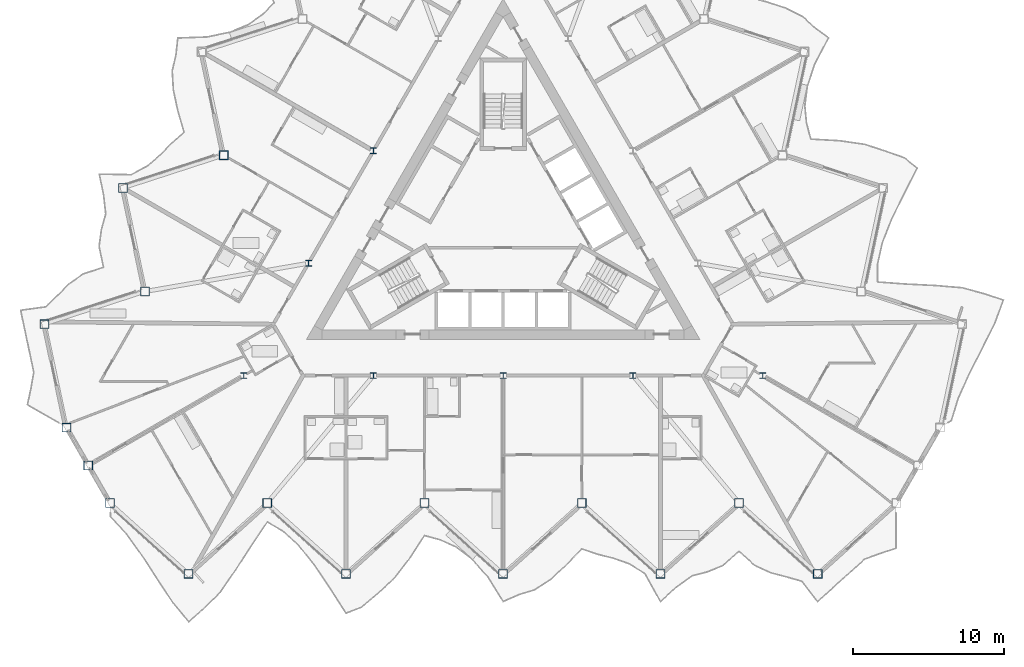
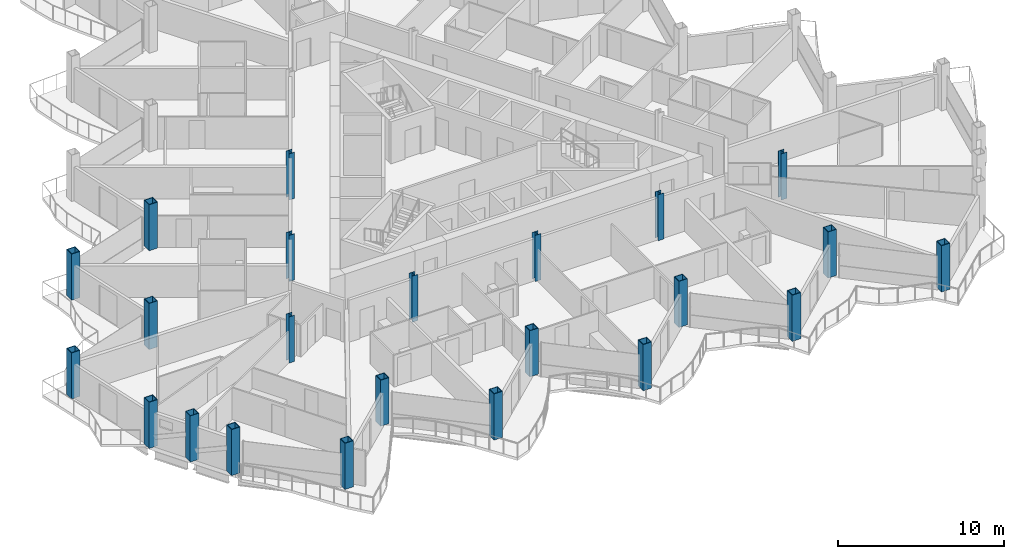
# One storey, part 1 of 27: 23 columns.
"""IFC4 building model written with IfcOpenShell, lengths in metres."""

from ifc_helpers import new_model, si_unit, direction, frame, origin, origin_2d, place, context, subcontext, project, spatial, hollow_rectangle, i_section, extrude, material, material_profile, profile_set, type_object, element, save


model = new_model("IFC4")

# Units and contexts
model_context = context("Model", 3, precision=1e-05, world=origin(), true_north=direction((0.0, 1.0)))
body_context = subcontext(model_context, "Body", "Model", "MODEL_VIEW")
ifc_project = project(units=[si_unit("LENGTHUNIT", "METRE"), si_unit("AREAUNIT", "SQUARE_METRE"), si_unit("VOLUMEUNIT", "CUBIC_METRE"), si_unit("PLANEANGLEUNIT", "RADIAN"), si_unit("MASSUNIT", "GRAM", prefix="KILO")], contexts=[model_context])

# Site, building, storey
site_placement = place(None, origin())
site = spatial("IfcSite", under=ifc_project, at=site_placement, CompositionType="ELEMENT")
building_placement = place(site_placement, origin())
building = spatial("IfcBuilding", under=site, at=building_placement, Name="Cormorant Prow Tower", CompositionType="ELEMENT")
storey_placement = place(building_placement, frame((0.0, 0.0, 332.39990234375)))
storey = spatial("IfcBuildingStorey", under=building, at=storey_placement, Name="L74", CompositionType="ELEMENT", Elevation=332.39990234375)

# Columns
ifc_material_1 = material(Name="Structural steel ASTM A572 Gr 50", Category="steel")
ifc_material_profile_1 = material_profile(ifc_material_1, hollow_rectangle(XDim=0.60009765625, YDim=0.60009765625, WallThickness=0.0400390625, at=origin_2d()), Name="Box 600x600x40")
ifc_profile_set_1 = profile_set([ifc_material_profile_1], Name="Structural steel ASTM A572 Gr 50")
column_type_1 = type_object("IfcColumnType", Name="Perimeter box column 600x600x40", PredefinedType="COLUMN", material=ifc_profile_set_1)
for number, where, z_axis, x_axis, name in (
    (1, (-25.995361328125, -18.326904296875, 0.0), (0.0, 0.0, 1.0), (1.0, 0.0, 0.0), "Perimeter column C6 at S00 L74"),
    (2, (-20.79638671875, -23.008056640625, 0.0), (0.0, 0.0, 1.0), (1.0, 0.0, 0.0), "Perimeter column C6 at S01 L74"),
    (3, (-15.59716796875, -18.326904296875, 0.0), (0.0, 0.0, 1.0), (1.0, 0.0, 0.0), "Perimeter column C6 at S02 L74"),
    (4, (-10.398193359375, -23.008056640625, 0.0), (0.0, 0.0, 1.0), (1.0, 0.0, 0.0), "Perimeter column C6 at S03 L74"),
    (5, (-5.198974609375, -18.326904296875, 0.0), (0.0, 0.0, 1.0), (1.0, 0.0, 0.0), "Perimeter column C6 at S04 L74"),
    (6, (0.0, -23.008056640625, 0.0), (0.0, 0.0, 1.0), (1.0, 0.0, 0.0), "Perimeter column C6 at S05 L74"),
    (7, (5.198974609375, -18.326904296875, 0.0), (0.0, 0.0, 1.0), (1.0, 0.0, 0.0), "Perimeter column C6 at S06 L74"),
    (8, (10.398193359375, -23.008056640625, 0.0), (0.0, 0.0, 1.0), (1.0, 0.0, 0.0), "Perimeter column C6 at S07 L74"),
    (9, (15.59716796875, -18.326904296875, 0.0), (0.0, 0.0, 1.0), (1.0, 0.0, 0.0), "Perimeter column C6 at S08 L74"),
    (10, (20.79638671875, -23.008056640625, 0.0), (0.0, 0.0, 1.0), (1.0, 0.0, 0.0), "Perimeter column C6 at S09 L74"),
    (11, (-18.470947265625, 4.660888671875, 0.0), (0.0, 0.0, 1.0), (1.0, 0.0, 0.0), "Perimeter column C6 at WNW06 L74"),
    (12, (-25.124755859375, 2.4990234375, 0.0), (0.0, 0.0, 1.0), (1.0, 0.0, 0.0), "Perimeter column C6 at WNW07 L74"),
    (13, (-23.670166015625, -4.34423828125, 0.0), (0.0, 0.0, 1.0), (1.0, 0.0, 0.0), "Perimeter column C6 at WNW08 L74"),
    (14, (-30.32373046875, -6.506103515625, 0.0), (0.0, 0.0, 1.0), (1.0, 0.0, 0.0), "Perimeter column C6 at WNW09 L74"),
    (15, (-28.869140625, -13.349365234375, 0.0), (0.0, 0.0, 1.0), (1.0, 0.0, 0.0), "Perimeter column C6 at WSW00 L74"),
    (16, (-27.432373046875, -15.838134765625, 0.0), (0.0, 0.0, 1.0), (1.0, 0.0, 0.0), "Perimeter column C6 at WSW01 L74"),
):
    element("IfcColumn", number, at=place(storey_placement, frame(where, z_axis=z_axis, x_axis=x_axis)), inside=storey, type_object=column_type_1, Name=name, PredefinedType="COLUMN", context=body_context, shape_type="SweptSolid", body=[
        extrude(hollow_rectangle(XDim=0.60009765625, YDim=0.60009765625, WallThickness=0.0400390625, at=origin_2d()), origin(), (0.0, 0.0, 1.0), 3.400146484375),
    ])
ifc_material_2 = material(Name="Structural steel ASTM A992 Gr 50", Category="steel")
ifc_material_profile_2 = material_profile(ifc_material_2, i_section(OverallWidth=0.3955078125, OverallDepth=0.380615234375, WebThickness=0.018798828125, FlangeThickness=0.0302734375, at=origin_2d()), Name="W14x159")
ifc_profile_set_2 = profile_set([ifc_material_profile_2], Name="Structural steel ASTM A992 Gr 50")
column_type_2 = type_object("IfcColumnType", Name="Ring column W14x159", PredefinedType="COLUMN", material=ifc_profile_set_2)
for number, where, z_axis, x_axis, name in (
    (17, (-8.578369140625, 4.952880859375, 0.0), (0.0, 0.0, 1.0), (1.0, 0.0, 0.0), "Ring column 3 L74"),
    (18, (-12.86767578125, -2.476318359375, 0.0), (0.0, 0.0, 1.0), (1.0, 0.0, 0.0), "Ring column 4 L74"),
    (19, (-17.156982421875, -9.905517578125, 0.0), (0.0, 0.0, 1.0), (1.0, 0.0, 0.0), "Ring column 5 L74"),
    (20, (-8.578369140625, -9.905517578125, 0.0), (0.0, 0.0, 1.0), (1.0, 0.0, 0.0), "Ring column 6 L74"),
    (21, (0.0, -9.905517578125, 0.0), (0.0, 0.0, 1.0), (1.0, 0.0, 0.0), "Ring column 7 L74"),
    (22, (8.578369140625, -9.905517578125, 0.0), (0.0, 0.0, 1.0), (1.0, 0.0, 0.0), "Ring column 8 L74"),
    (23, (17.156982421875, -9.905517578125, 0.0), (0.0, 0.0, 1.0), (1.0, 0.0, 0.0), "Ring column 9 L74"),
):
    element("IfcColumn", number, at=place(storey_placement, frame(where, z_axis=z_axis, x_axis=x_axis)), inside=storey, type_object=column_type_2, Name=name, PredefinedType="COLUMN", context=body_context, shape_type="SweptSolid", body=[
        extrude(i_section(OverallWidth=0.3955078125, OverallDepth=0.380615234375, WebThickness=0.018798828125, FlangeThickness=0.0302734375, at=origin_2d()), origin(), (0.0, 0.0, 1.0), 3.400146484375),
    ])

save(model, "model.ifc")
